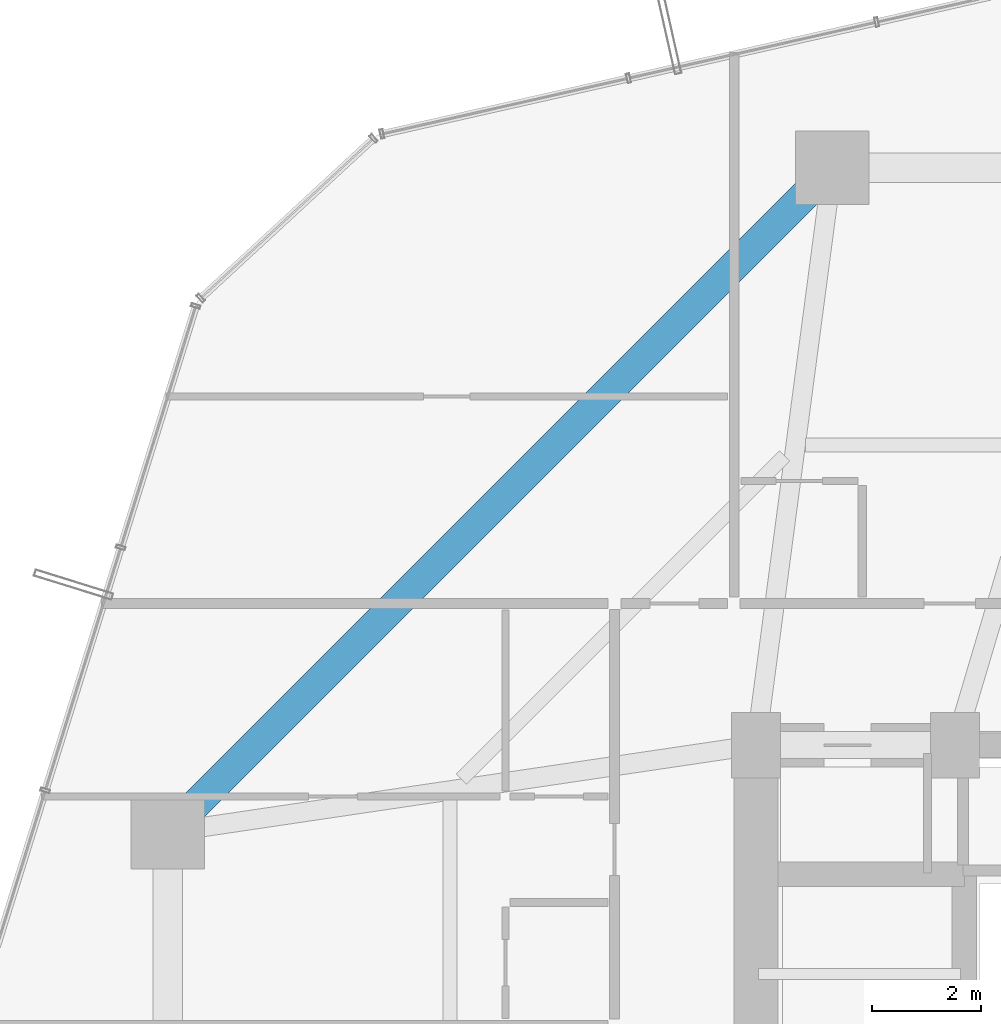
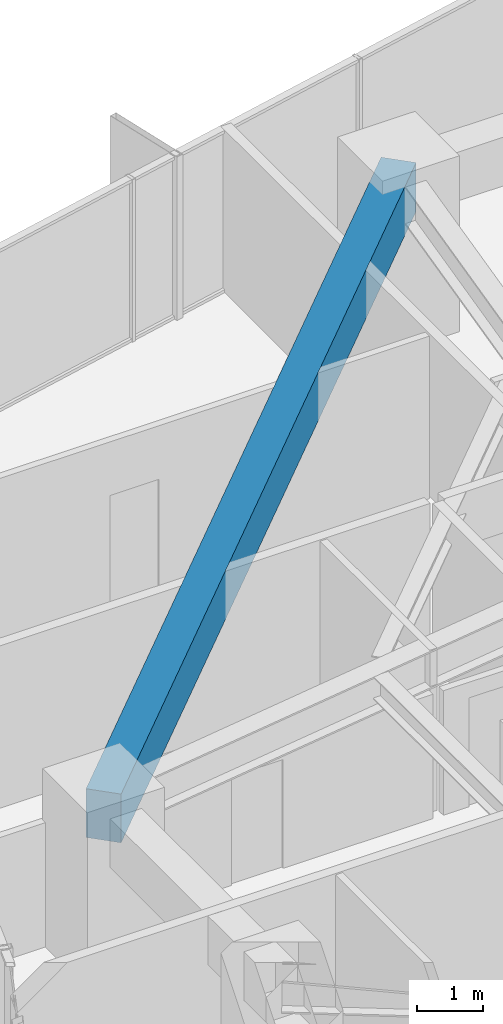
# One storey, part 23 of 39: 1 beam.
"""IFC4 building model written with IfcOpenShell, lengths in metres."""

import ifcopenshell
import ifcopenshell.guid

model = None  # the IFC model being written
_history = None  # IfcOwnerHistory: only IFC2X3 demands one
_inside = {}  # id of a spatial element -> (the spatial element, [elements in it])
_under = {}  # id of a project, library or spatial element -> (it, [spatial elements below it])
_declared = {}  # id of a project -> (the project, [libraries it declares])
_typed = {}  # id of a type object -> (the type object, [elements of that type])
_made_of = {}  # id of a material, layer set ... -> (it, [elements and type objects made of it])


def new_model(schema):
    """Start an empty IFC model of exactly this schema.

    Asked for "IFC4X3", IfcOpenShell would pick the latest addendum, in which some entities
    have other attributes; the version numbers below select the first issue.
    IFC2X3 requires an IfcOwnerHistory on every rooted entity: one is made here for all.
    """
    global model, _history
    if schema == "IFC4X3":
        model = ifcopenshell.file(schema_version=(4, 3, 0, 0))
    else:
        model = ifcopenshell.file(schema=schema)
    _inside.clear()
    _under.clear()
    _declared.clear()
    _typed.clear()
    _made_of.clear()
    _history = None
    if model.schema == "IFC2X3":
        org = make("IfcOrganization", Name="unknown")
        user = make(
            "IfcPersonAndOrganization",
            ThePerson=make("IfcPerson", FamilyName="unknown"),
            TheOrganization=org,
        )
        app = make(
            "IfcApplication",
            ApplicationDeveloper=org,
            Version="unknown",
            ApplicationFullName="unknown",
            ApplicationIdentifier="unknown",
        )
        _history = make(
            "IfcOwnerHistory",
            OwningUser=user,
            OwningApplication=app,
            ChangeAction="ADDED",
            CreationDate=0,
        )
    return model


def make(cls, **values):
    """One entity of the class cls with the attributes given. An attribute that is None is left unset."""
    return model.create_entity(
        cls, **{name: value for name, value in values.items() if value is not None}
    )


def rooted(cls, **values):
    """An entity with a GlobalId (a new one), such as an element, a storey or a relation."""
    return make(cls, GlobalId=ifcopenshell.guid.new(), OwnerHistory=_history, **values)


def si_unit(unit_type, name, prefix=None):
    """IfcSIUnit, for example si_unit("LENGTHUNIT", "METRE", prefix="MILLI")."""
    return make("IfcSIUnit", UnitType=unit_type, Prefix=prefix, Name=name)


def assignment(units):
    """IfcUnitAssignment: the units of a project."""
    return None if units is None else make("IfcUnitAssignment", Units=units)


def point(xyz):
    """IfcCartesianPoint."""
    return None if xyz is None else make("IfcCartesianPoint", Coordinates=xyz)


def direction(xyz):
    """IfcDirection."""
    return None if xyz is None else make("IfcDirection", DirectionRatios=xyz)


def frame(location, z_axis=None, x_axis=None):
    """IfcAxis2Placement3D, a coordinate frame: its origin and axes. An axis left out is left unset."""
    return make(
        "IfcAxis2Placement3D",
        Location=point(location),
        Axis=direction(z_axis),
        RefDirection=direction(x_axis),
    )


def frame_2d(location, x_axis=None):
    """IfcAxis2Placement2D, a coordinate frame in the plane: its origin and x axis."""
    return make(
        "IfcAxis2Placement2D", Location=point(location), RefDirection=direction(x_axis)
    )


def origin():
    """The frame at (0, 0, 0) with its axes left unset."""
    return frame((0.0, 0.0, 0.0))


def origin_2d():
    """The frame at (0, 0) in the plane with its x axis left unset."""
    return frame_2d((0.0, 0.0))


def place(relative_to, where):
    """IfcLocalPlacement: puts the frame where relative to a parent placement (None: the world)."""
    return make(
        "IfcLocalPlacement", PlacementRelTo=relative_to, RelativePlacement=where
    )


def context(
    kind, dimensions, precision=None, world=None, true_north=None, identifier=None
):
    """IfcGeometricRepresentationContext, for example the 3D "Model" context."""
    return make(
        "IfcGeometricRepresentationContext",
        ContextIdentifier=identifier,
        ContextType=kind,
        CoordinateSpaceDimension=dimensions,
        Precision=precision,
        WorldCoordinateSystem=world,
        TrueNorth=true_north,
    )


def subcontext(parent, identifier, kind, view, scale=None):
    """IfcGeometricRepresentationSubContext, for example "Body" below "Model"."""
    return make(
        "IfcGeometricRepresentationSubContext",
        ContextIdentifier=identifier,
        ContextType=kind,
        ParentContext=parent,
        TargetScale=scale,
        TargetView=view,
    )


def project(units=None, contexts=None):
    """IfcProject with its units and contexts."""
    return rooted(
        "IfcProject",
        Name="project",
        RepresentationContexts=contexts,
        UnitsInContext=assignment(units),
    )


def spatial(cls, under=None, at=None, **own):
    """A site, building, storey or space (cls), placed at a placement, below another one or the project."""
    s = rooted(cls, ObjectPlacement=at, **own)
    if under is not None:
        _under.setdefault(under.id(), (under, []))[1].append(s)
    return s


def profile(cls, at=None, kind="AREA", **sizes):
    """A parametric profile (cls). Its sizes go by their IFC names, for example OverallWidth=200.0."""
    return make(cls, ProfileType=kind, Position=at, **sizes)


def rectangle(**sizes):
    """IfcRectangleProfileDef."""
    return profile("IfcRectangleProfileDef", **sizes)


def extrude(swept, where, along, depth):
    """IfcExtrudedAreaSolid: the profile swept, set in the frame where, extruded along a direction by depth."""
    return make(
        "IfcExtrudedAreaSolid",
        SweptArea=swept,
        Position=where,
        ExtrudedDirection=direction(along),
        Depth=depth,
    )


def shape(context_of_items, identifier, shape_type, items):
    """IfcShapeRepresentation: the items that make up one representation, for example the "Body"."""
    return make(
        "IfcShapeRepresentation",
        ContextOfItems=context_of_items,
        RepresentationIdentifier=identifier,
        RepresentationType=shape_type,
        Items=items,
    )


def material(Name=None, Category=None):
    """IfcMaterial."""
    return make("IfcMaterial", Name=Name, Category=Category)


def material_profile(
    of_material, cross_section, Name=None, Category=None, Priority=None
):
    """IfcMaterialProfile: a cross section and its material."""
    return make(
        "IfcMaterialProfile",
        Name=Name,
        Material=of_material,
        Profile=cross_section,
        Priority=Priority,
        Category=Category,
    )


def profile_set(profiles, Name=None, composite=None):
    """IfcMaterialProfileSet."""
    return make(
        "IfcMaterialProfileSet",
        Name=Name,
        MaterialProfiles=profiles,
        CompositeProfile=composite,
    )


def made_of(thing, what):
    """Note that an element or type object is made of a material, layer set ...; save() writes the relation."""
    if what is not None:
        _made_of.setdefault(what.id(), (what, []))[1].append(thing)
    return thing


def type_object(cls, material=None, **own):
    """A type object (cls), such as IfcWallType, which elements share."""
    return made_of(rooted(cls, **own), material)


def element(
    cls,
    number,
    at=None,
    inside=None,
    cuts=None,
    type_object=None,
    material=None,
    context=None,
    identifier="Body",
    shape_type=None,
    held_by="IfcProductDefinitionShape",
    body=None,
    shapes=None,
    **own,
):
    """One element of the class cls, such as IfcWall. Its Tag is "e" and its number.

    at: its placement. inside: the storey or other place that contains it. cuts: it is an
    opening in that element (IfcRelVoidsElement). A single representation is given by context,
    identifier, shape_type and body (its items); several are given by shapes. held_by: the class
    of the entity that holds the representations. save() writes the other relations.
    """
    e = rooted(cls, Tag="e%d" % number, ObjectPlacement=at, **own)
    if body is not None:
        shapes = [shape(context, identifier, shape_type, body)]
    if shapes is not None:
        e.Representation = make(held_by, Representations=shapes)
    if inside is not None:
        _inside.setdefault(inside.id(), (inside, []))[1].append(e)
    if cuts is not None:
        rooted(
            "IfcRelVoidsElement", RelatingBuildingElement=cuts, RelatedOpeningElement=e
        )
    if type_object is not None:
        _typed.setdefault(type_object.id(), (type_object, []))[1].append(e)
    return made_of(e, material)


def aggregate(whole, parts):
    """IfcRelAggregates: a whole, such as a stair, and the parts it consists of."""
    return rooted("IfcRelAggregates", RelatingObject=whole, RelatedObjects=parts)


def save(model, path):
    """Write the relations noted so far, then the file.

    IfcRelAggregates (storeys below a building ...), IfcRelContainedInSpatialStructure (elements
    in a storey), IfcRelDefinesByType, IfcRelAssociatesMaterial and IfcRelDeclares: one each for
    every whole, place, type object, material and project.
    """
    for whole, parts in _under.values():
        aggregate(whole, parts)
    for where, things in _inside.values():
        rooted(
            "IfcRelContainedInSpatialStructure",
            RelatedElements=things,
            RelatingStructure=where,
        )
    for kind, things in _typed.values():
        rooted("IfcRelDefinesByType", RelatedObjects=things, RelatingType=kind)
    for what, things in _made_of.values():
        rooted("IfcRelAssociatesMaterial", RelatedObjects=things, RelatingMaterial=what)
    for by, libraries in _declared.values():
        rooted("IfcRelDeclares", RelatingContext=by, RelatedDefinitions=libraries)
    model.write(path)


model = new_model("IFC4")

# Units and contexts
model_context = context("Model", 3, precision=1e-05, world=origin(), true_north=direction((0.0, 1.0)))
body_context = subcontext(model_context, "Body", "Model", "MODEL_VIEW")
ifc_project = project(units=[si_unit("LENGTHUNIT", "METRE"), si_unit("AREAUNIT", "SQUARE_METRE"), si_unit("VOLUMEUNIT", "CUBIC_METRE"), si_unit("PLANEANGLEUNIT", "RADIAN"), si_unit("MASSUNIT", "GRAM", prefix="KILO")], contexts=[model_context])

# Site, building, storey
site_placement = place(None, origin())
site = spatial("IfcSite", under=ifc_project, at=site_placement, CompositionType="ELEMENT")
building_placement = place(site_placement, origin())
building = spatial("IfcBuilding", under=site, at=building_placement, Name="Veraguas Prism Commons", CompositionType="ELEMENT")
storey_placement = place(building_placement, frame((0.0, 0.0, 67.35009765625)))
storey = spatial("IfcBuildingStorey", under=building, at=storey_placement, Name="L18", CompositionType="ELEMENT", Elevation=67.35009765625)

# Beam
ifc_material = material(Name="Concrete C50/60", Category="concrete")
ifc_material_profile = material_profile(ifc_material, rectangle(XDim=0.550048828125, YDim=0.89990234375, at=origin_2d()), Name="RC550X900")
ifc_profile_set = profile_set([ifc_material_profile], Name="Concrete C50/60")
beam_type = type_object("IfcBeamType", Name="Perimeter Spandrel Lower RC 550x900", PredefinedType="SPANDREL", material=ifc_profile_set)
beam_placement = place(storey_placement, frame((18.60009765625, 41.60009765625, 2.5498046875), z_axis=(-0.707106781187, -0.707106781187, 0.0), x_axis=(0.707106781187, -0.707106781187, 0.0)))
element("IfcBeam", 1, at=beam_placement, inside=storey, type_object=beam_type, Name="Perimeter Spandrel Beam L18-SP06", PredefinedType="SPANDREL", context=body_context, shape_type="SweptSolid", body=[
    extrude(rectangle(XDim=0.550048828125, YDim=0.89990234375, at=origin_2d()), origin(), (0.0, 0.0, 1.0), 17.253662109375),
])

save(model, "model.ifc")
